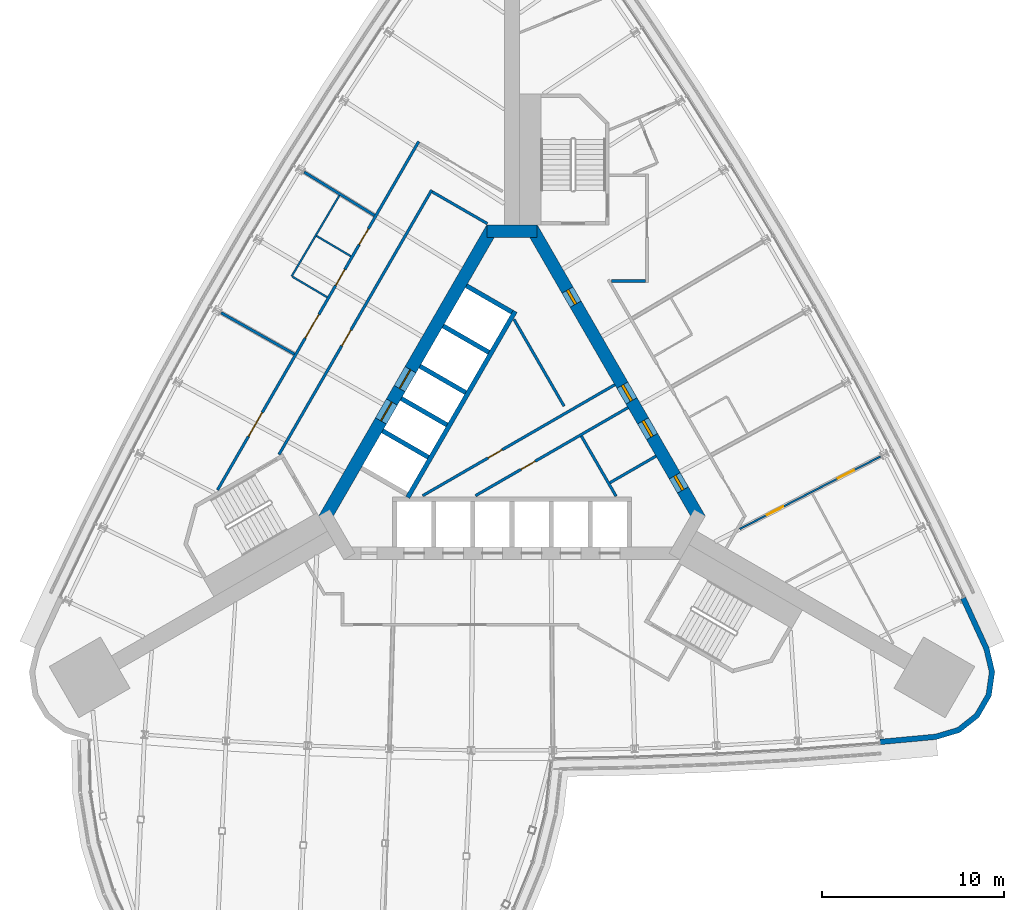
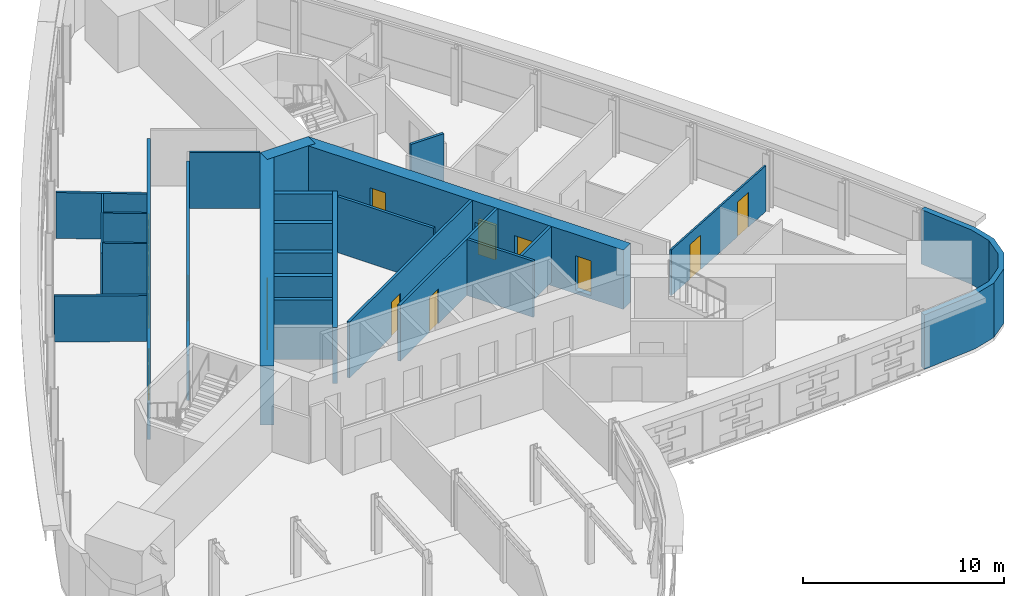
# One storey, part 11 of 16: 25 walls, 15 doors, 15 openings.
"""IFC4 building model written with IfcOpenShell, lengths in metres."""

from ifc_helpers import new_model, si_unit, direction, frame, frame_2d, origin, place, context, subcontext, project, spatial, polyline, rectangle, outline, extrude, material, layer, layer_set, type_object, element, fill, save


model = new_model("IFC4")

# Units and contexts
model_context = context("Model", 3, precision=1e-05, world=origin(), true_north=direction((0.0, 1.0)))
body_context = subcontext(model_context, "Body", "Model", "MODEL_VIEW")
ifc_project = project(units=[si_unit("LENGTHUNIT", "METRE"), si_unit("AREAUNIT", "SQUARE_METRE"), si_unit("VOLUMEUNIT", "CUBIC_METRE"), si_unit("PLANEANGLEUNIT", "RADIAN"), si_unit("MASSUNIT", "GRAM", prefix="KILO")], contexts=[model_context])

# Site, building, storey
site_placement = place(None, origin())
site = spatial("IfcSite", under=ifc_project, at=site_placement, CompositionType="ELEMENT")
building_placement = place(site_placement, origin())
building = spatial("IfcBuilding", under=site, at=building_placement, Name="Noor Cloister Tower", CompositionType="ELEMENT")
storey_placement = place(building_placement, frame((0.0, 0.0, 65.39990234375)))
storey = spatial("IfcBuildingStorey", under=building, at=storey_placement, Name="L16", CompositionType="ELEMENT", Elevation=65.39990234375)

# Wall, opening, door
ifc_material_1 = material(Name="Concrete C30/37", Category="concrete")
ifc_layer_1 = layer(ifc_material_1, 0.14990234375)
ifc_layer_set_1 = layer_set([ifc_layer_1], Name="Core partition 150 C30/37")
wall_type_1 = type_object("IfcWallType", Name="Core partition 150 C30/37", PredefinedType="PARTITIONING", material=ifc_layer_set_1)
wall_1_placement = place(storey_placement, frame((-4.904296875, -3.4130859375, 0.0), z_axis=(0.0, 0.0, 1.0), x_axis=(0.866020716117, 0.500008119189, 0.0)))
wall_1 = element("IfcWall", 1, at=wall_1_placement, inside=storey, type_object=wall_type_1, Name="Core room partition L16 1", PredefinedType="PARTITIONING", context=body_context, shape_type="SweptSolid", body=[
    extrude(rectangle(XDim=12.181884765625, YDim=0.14990234375, at=frame_2d((6.0908203125, 0.0))), origin(), (0.0, 0.0, 1.0), 3.400146484375),
])
opening_1_placement = place(wall_1_placement, frame((4.14208984375, 0.0, 0.0)))
opening_1 = element("IfcOpeningElement", 2, at=opening_1_placement, cuts=wall_1, Name="Opening L16-906", PredefinedType="OPENING", context=body_context, shape_type="SweptSolid", body=[
    extrude(rectangle(XDim=0.89990234375, YDim=2.10009765625, at=frame_2d((0.449951171875, 1.050048828125))), frame((0.0, 0.0849609375, 0.0), z_axis=(0.0, -1.0, 0.0), x_axis=(1.0, 0.0, 0.0)), (0.0, 0.0, 1.0), 0.169921875),
])
ifc_material_2 = material(Name="Steel", Category="steel")
door_type_1 = type_object("IfcDoorType", Name="Core door 900 x 2100 FD120", OperationType="SINGLE_SWING_LEFT", PredefinedType="DOOR", material=ifc_material_2)
door_1_placement = place(opening_1_placement, origin())
door_1 = element("IfcDoor", 3, at=door_1_placement, inside=storey, type_object=door_type_1, Name="Core door 6 L16", OperationType="SINGLE_SWING_RIGHT", OverallHeight=2.10009765625, OverallWidth=0.89990234375, PredefinedType="DOOR", context=body_context, shape_type="SweptSolid", body=[
    extrude(rectangle(XDim=0.89990234375, YDim=2.10009765625, at=frame_2d((0.449951171875, 1.050048828125))), frame((0.0, 0.02490234375, 0.0), z_axis=(0.0, -1.0, 0.0), x_axis=(1.0, 0.0, 0.0)), (0.0, 0.0, 1.0), 0.050048828125),
])
fill(opening_1, door_1)

wall_2_placement = place(storey_placement, frame((-2.00439453125, -3.4130859375, 0.0), z_axis=(0.0, 0.0, 1.0), x_axis=(0.866030034802, 0.499991978756, 0.0)))
wall_2 = element("IfcWall", 4, at=wall_2_placement, inside=storey, type_object=wall_type_1, Name="Core room partition L16 2", PredefinedType="PARTITIONING", context=body_context, shape_type="SweptSolid", body=[
    extrude(rectangle(XDim=9.670654296875, YDim=0.14990234375, at=frame_2d((4.83544921875, 0.0))), origin(), (0.0, 0.0, 1.0), 3.400146484375),
])
opening_2_placement = place(wall_2_placement, frame((2.88623046875, 0.0, 0.0)))
opening_2 = element("IfcOpeningElement", 5, at=opening_2_placement, cuts=wall_2, Name="Opening L16-905", PredefinedType="OPENING", context=body_context, shape_type="SweptSolid", body=[
    extrude(rectangle(XDim=0.89990234375, YDim=2.10009765625, at=frame_2d((0.449951171875, 1.050048828125))), frame((0.0, 0.0849609375, 0.0), z_axis=(0.0, -1.0, 0.0), x_axis=(1.0, 0.0, 0.0)), (0.0, 0.0, 1.0), 0.169921875),
])
ifc_material_3 = material(Name="Steel", Category="steel")
door_type_2 = type_object("IfcDoorType", Name="Core door 900 x 2100 FD60", OperationType="SINGLE_SWING_LEFT", PredefinedType="DOOR", material=ifc_material_3)
door_2_placement = place(opening_2_placement, origin())
door_2 = element("IfcDoor", 6, at=door_2_placement, inside=storey, type_object=door_type_2, Name="Core door 5 L16", OperationType="SINGLE_SWING_LEFT", OverallHeight=2.10009765625, OverallWidth=0.89990234375, PredefinedType="DOOR", context=body_context, shape_type="SweptSolid", body=[
    extrude(rectangle(XDim=0.89990234375, YDim=2.10009765625, at=frame_2d((0.449951171875, 1.050048828125))), frame((0.0, 0.02490234375, 0.0), z_axis=(0.0, -1.0, 0.0), x_axis=(1.0, 0.0, 0.0)), (0.0, 0.0, 1.0), 0.050048828125),
])
fill(opening_2, door_2)

# Walls
wall_3_placement = place(storey_placement, frame((2.860107421875, 1.502685546875, 0.0), z_axis=(0.0, 0.0, 1.0), x_axis=(-0.500014382217, 0.866017100048, 0.0)))
element("IfcWall", 7, at=wall_3_placement, inside=storey, type_object=wall_type_1, Name="Core room partition L16 3", PredefinedType="PARTITIONING", context=body_context, shape_type="SweptSolid", body=[
    extrude(rectangle(XDim=5.501708984375, YDim=0.14990234375, at=frame_2d((2.7509765625, 0.0))), origin(), (0.0, 0.0, 1.0), 3.400146484375),
])
wall_4_placement = place(storey_placement, frame((5.713134765625, -3.439208984375, 0.0), z_axis=(0.0, 0.0, 1.0), x_axis=(-0.499981559197, 0.866036050325, 0.0)))
element("IfcWall", 8, at=wall_4_placement, inside=storey, type_object=wall_type_1, Name="Core room partition L16 4", PredefinedType="PARTITIONING", context=body_context, shape_type="SweptSolid", body=[
    extrude(rectangle(XDim=3.806396484375, YDim=0.14990234375, at=frame_2d((1.9033203125, 0.0))), origin(), (0.0, 0.0, 1.0), 3.400146484375),
])
wall_5_placement = place(storey_placement, frame((5.375, -2.703369140625, 0.0), z_axis=(0.0, 0.0, 1.0), x_axis=(0.866046596414, 0.499963291492, 0.0)))
element("IfcWall", 9, at=wall_5_placement, inside=storey, type_object=wall_type_1, Name="Core room partition L16 5", PredefinedType="PARTITIONING", context=body_context, shape_type="SweptSolid", body=[
    extrude(rectangle(XDim=2.925048828125, YDim=0.14990234375, at=frame_2d((1.46240234375, 0.0))), origin(), (0.0, 0.0, 1.0), 3.400146484375),
])

# Wall, openings, doors
ifc_material_4 = material(Name="Concrete C80/95", Category="concrete")
ifc_layer_2 = layer(ifc_material_4, 0.699951171875)
ifc_layer_set_2 = layer_set([ifc_layer_2], Name="Core wall 700 C80/95")
wall_type_2 = type_object("IfcWallType", Name="Core wall 700 C80/95", PredefinedType="SHEAR", material=ifc_layer_set_2)
wall_6_placement = place(storey_placement, frame((10.311279296875, -4.703125, -0.199951171875), z_axis=(0.0, 0.0, 1.0), x_axis=(-0.500001446645, 0.866024568562, 0.0)))
wall_6 = element("IfcWall", 10, at=wall_6_placement, inside=storey, type_object=wall_type_2, Name="Core wall L16 3", PredefinedType="SHEAR", context=body_context, shape_type="SweptSolid", body=[
    extrude(rectangle(XDim=18.45751953125, YDim=0.699951171875, at=frame_2d((9.228759765625, 0.0))), origin(), (0.0, 0.0, 1.0), 3.60009765625),
])
opening_3_placement = place(wall_6_placement, frame((7.5, 0.0, 0.199951171875)))
opening_3 = element("IfcOpeningElement", 11, at=opening_3_placement, cuts=wall_6, Name="Opening L16-901", PredefinedType="OPENING", context=body_context, shape_type="SweptSolid", body=[
    extrude(rectangle(XDim=1.0, YDim=2.10009765625, at=frame_2d((0.5, 1.050048828125))), frame((0.0, 0.35986328125, 0.0), z_axis=(0.0, -1.0, 0.0), x_axis=(1.0, 0.0, 0.0)), (0.0, 0.0, 1.0), 0.719970703125),
])
opening_4_placement = place(wall_6_placement, frame((1.85205078125, 0.0, 0.199951171875)))
opening_4 = element("IfcOpeningElement", 12, at=opening_4_placement, cuts=wall_6, Name="Opening L16-902", PredefinedType="OPENING", context=body_context, shape_type="SweptSolid", body=[
    extrude(rectangle(XDim=0.89990234375, YDim=2.10009765625, at=frame_2d((0.449951171875, 1.050048828125))), frame((0.0, 0.35986328125, 0.0), z_axis=(0.0, -1.0, 0.0), x_axis=(1.0, 0.0, 0.0)), (0.0, 0.0, 1.0), 0.719970703125),
])
opening_5_placement = place(wall_6_placement, frame((5.237548828125, 0.0, 0.199951171875)))
opening_5 = element("IfcOpeningElement", 13, at=opening_5_placement, cuts=wall_6, Name="Opening L16-903", PredefinedType="OPENING", context=body_context, shape_type="SweptSolid", body=[
    extrude(rectangle(XDim=1.0, YDim=2.10009765625, at=frame_2d((0.5, 1.050048828125))), frame((0.0, 0.35986328125, 0.0), z_axis=(0.0, -1.0, 0.0), x_axis=(1.0, 0.0, 0.0)), (0.0, 0.0, 1.0), 0.719970703125),
])
opening_6_placement = place(wall_6_placement, frame((13.6298828125, 0.0, 0.199951171875)))
opening_6 = element("IfcOpeningElement", 14, at=opening_6_placement, cuts=wall_6, Name="Opening L16-904", PredefinedType="OPENING", context=body_context, shape_type="SweptSolid", body=[
    extrude(rectangle(XDim=0.89990234375, YDim=2.10009765625, at=frame_2d((0.449951171875, 1.050048828125))), frame((0.0, 0.35986328125, 0.0), z_axis=(0.0, -1.0, 0.0), x_axis=(1.0, 0.0, 0.0)), (0.0, 0.0, 1.0), 0.719970703125),
])
ifc_material_5 = material(Name="Steel", Category="steel")
door_type_3 = type_object("IfcDoorType", Name="Core door 1000 x 2100 FD120", OperationType="SINGLE_SWING_LEFT", PredefinedType="DOOR", material=ifc_material_5)
door_3_placement = place(opening_3_placement, origin())
door_3 = element("IfcDoor", 15, at=door_3_placement, inside=storey, type_object=door_type_3, Name="Core door 1 L16", OperationType="SINGLE_SWING_LEFT", OverallHeight=2.10009765625, OverallWidth=1.0, PredefinedType="DOOR", context=body_context, shape_type="SweptSolid", body=[
    extrude(rectangle(XDim=1.0, YDim=2.10009765625, at=frame_2d((0.5, 1.050048828125))), frame((0.0, 0.074951171875, 0.0), z_axis=(0.0, -1.0, 0.0), x_axis=(1.0, 0.0, 0.0)), (0.0, 0.0, 1.0), 0.14990234375),
])
fill(opening_3, door_3)
ifc_material_6 = material(Name="Steel", Category="steel")
door_type_4 = type_object("IfcDoorType", Name="Core door 1000 x 2100 FD60", OperationType="SINGLE_SWING_LEFT", PredefinedType="DOOR", material=ifc_material_6)
door_4_placement = place(opening_5_placement, origin())
door_4 = element("IfcDoor", 16, at=door_4_placement, inside=storey, type_object=door_type_4, Name="Core door 3 L16", OperationType="SINGLE_SWING_LEFT", OverallHeight=2.10009765625, OverallWidth=1.0, PredefinedType="DOOR", context=body_context, shape_type="SweptSolid", body=[
    extrude(rectangle(XDim=1.0, YDim=2.10009765625, at=frame_2d((0.5, 1.050048828125))), frame((0.0, 0.074951171875, 0.0), z_axis=(0.0, -1.0, 0.0), x_axis=(1.0, 0.0, 0.0)), (0.0, 0.0, 1.0), 0.14990234375),
])
fill(opening_5, door_4)
door_5_placement = place(opening_6_placement, origin())
door_5 = element("IfcDoor", 17, at=door_5_placement, inside=storey, type_object=door_type_1, Name="Core door 4 L16", OperationType="SINGLE_SWING_RIGHT", OverallHeight=2.10009765625, OverallWidth=0.89990234375, PredefinedType="DOOR", context=body_context, shape_type="SweptSolid", body=[
    extrude(rectangle(XDim=0.89990234375, YDim=2.10009765625, at=frame_2d((0.449951171875, 1.050048828125))), frame((0.0, 0.074951171875, 0.0), z_axis=(0.0, -1.0, 0.0), x_axis=(1.0, 0.0, 0.0)), (0.0, 0.0, 1.0), 0.14990234375),
])
fill(opening_6, door_5)
door_6_placement = place(opening_4_placement, origin())
door_6 = element("IfcDoor", 18, at=door_6_placement, inside=storey, type_object=door_type_2, Name="Core door 2 L16", OperationType="SINGLE_SWING_RIGHT", OverallHeight=2.10009765625, OverallWidth=0.89990234375, PredefinedType="DOOR", context=body_context, shape_type="SweptSolid", body=[
    extrude(rectangle(XDim=0.89990234375, YDim=2.10009765625, at=frame_2d((0.449951171875, 1.050048828125))), frame((0.0, 0.074951171875, 0.0), z_axis=(0.0, -1.0, 0.0), x_axis=(1.0, 0.0, 0.0)), (0.0, 0.0, 1.0), 0.14990234375),
])
fill(opening_4, door_6)

# Wall
wall_7_placement = place(storey_placement, frame((1.3857421875, 11.1064453125, -0.199951171875), z_axis=(0.0, 0.0, 1.0), x_axis=(-1.0, 0.0, 0.0)))
element("IfcWall", 19, at=wall_7_placement, inside=storey, type_object=wall_type_2, Name="Core wall L16 4", PredefinedType="SHEAR", context=body_context, shape_type="SweptSolid", body=[
    extrude(rectangle(XDim=2.771484375, YDim=0.699951171875, at=frame_2d((1.3857421875, 0.0))), origin(), (0.0, 0.0, 1.0), 3.60009765625),
])

# Wall, openings, doors
wall_8_placement = place(storey_placement, frame((-1.08251953125, 11.281494140625, -0.199951171875), z_axis=(0.0, 0.0, 1.0), x_axis=(-0.500001446645, -0.866024568562, 0.0)))
wall_8 = element("IfcWall", 20, at=wall_8_placement, inside=storey, type_object=wall_type_2, Name="Core wall L16 5", PredefinedType="SHEAR", context=body_context, shape_type="SweptSolid", body=[
    extrude(rectangle(XDim=18.45751953125, YDim=0.699951171875, at=frame_2d((9.228759765625, 0.0))), origin(), (0.0, 0.0, 1.0), 3.60009765625),
])
opening_7_placement = place(wall_8_placement, frame((8.978759765625, 0.0, 0.199951171875)))
opening_7 = element("IfcOpeningElement", 21, at=opening_7_placement, cuts=wall_8, Name="Opening L16-FF1", PredefinedType="OPENING", context=body_context, shape_type="SweptSolid", body=[
    extrude(rectangle(XDim=1.199951171875, YDim=2.10009765625, at=frame_2d((0.60009765625, 1.050048828125))), frame((0.0, 0.35986328125, 0.0), z_axis=(0.0, -1.0, 0.0), x_axis=(1.0, 0.0, 0.0)), (0.0, 0.0, 1.0), 0.719970703125),
])
opening_8_placement = place(wall_8_placement, frame((11.02880859375, 0.0, 0.199951171875)))
opening_8 = element("IfcOpeningElement", 22, at=opening_8_placement, cuts=wall_8, Name="Opening L16-FF2", PredefinedType="OPENING", context=body_context, shape_type="SweptSolid", body=[
    extrude(rectangle(XDim=1.199951171875, YDim=2.10009765625, at=frame_2d((0.60009765625, 1.050048828125))), frame((0.0, 0.35986328125, 0.0), z_axis=(0.0, -1.0, 0.0), x_axis=(1.0, 0.0, 0.0)), (0.0, 0.0, 1.0), 0.719970703125),
])
ifc_material_7 = material(Name="Stainless steel", Category="steel")
door_type_5 = type_object("IfcDoorType", Name="Lift landing door 1200 x 2100", OperationType="DOUBLE_DOOR_SLIDING", PredefinedType="DOOR", material=ifc_material_7)
door_7_placement = place(opening_7_placement, origin())
door_7 = element("IfcDoor", 23, at=door_7_placement, inside=storey, type_object=door_type_5, Name="Landing door FF1 L16", OperationType="DOUBLE_DOOR_SLIDING", OverallHeight=2.10009765625, OverallWidth=1.199951171875, PredefinedType="DOOR", context=body_context, shape_type="SweptSolid", body=[
    extrude(rectangle(XDim=1.199951171875, YDim=2.10009765625, at=frame_2d((0.60009765625, 1.050048828125))), frame((0.0, 0.02490234375, 0.0), z_axis=(0.0, -1.0, 0.0), x_axis=(1.0, 0.0, 0.0)), (0.0, 0.0, 1.0), 0.050048828125),
])
fill(opening_7, door_7)
door_8_placement = place(opening_8_placement, origin())
door_8 = element("IfcDoor", 24, at=door_8_placement, inside=storey, type_object=door_type_5, Name="Landing door FF2 L16", OperationType="DOUBLE_DOOR_SLIDING", OverallHeight=2.10009765625, OverallWidth=1.199951171875, PredefinedType="DOOR", context=body_context, shape_type="SweptSolid", body=[
    extrude(rectangle(XDim=1.199951171875, YDim=2.10009765625, at=frame_2d((0.60009765625, 1.050048828125))), frame((0.0, 0.02490234375, 0.0), z_axis=(0.0, -1.0, 0.0), x_axis=(1.0, 0.0, 0.0)), (0.0, 0.0, 1.0), 0.050048828125),
])
fill(opening_8, door_8)

# Wall, opening, door
ifc_material_8 = material(Name="Fire-rated gypsum board partition on steel studs, 150 mm", Category="steel")
ifc_layer_3 = layer(ifc_material_8, 0.14990234375)
ifc_layer_set_3 = layer_set([ifc_layer_3], Name="Fire lobby wall 150")
wall_type_3 = type_object("IfcWallType", Name="Fire lobby wall 150", PredefinedType="PARTITIONING", material=ifc_layer_set_3)
wall_9_placement = place(storey_placement, frame((-4.40673828125, 13.373779296875, 0.0), z_axis=(0.0, 0.0, 1.0), x_axis=(-0.499997181693, -0.866027030928, 0.0)))
wall_9 = element("IfcWall", 25, at=wall_9_placement, inside=storey, type_object=wall_type_3, Name="Fire lobby wall 150 L16 002", PredefinedType="PARTITIONING", context=body_context, shape_type="SweptSolid", body=[
    extrude(rectangle(XDim=16.76953125, YDim=0.14990234375, at=frame_2d((8.384765625, 0.0))), origin(), (0.0, 0.0, 1.0), 2.778076171875),
])
opening_9_placement = place(wall_9_placement, frame((8.878662109375, 0.0, 0.0)))
opening_9 = element("IfcOpeningElement", 26, at=opening_9_placement, cuts=wall_9, Name="Opening L16-005", PredefinedType="OPENING", context=body_context, shape_type="SweptSolid", body=[
    extrude(rectangle(XDim=1.0, YDim=2.10009765625, at=frame_2d((0.5, 1.050048828125))), frame((0.0, 0.0849609375, 0.0), z_axis=(0.0, -1.0, 0.0), x_axis=(1.0, 0.0, 0.0)), (0.0, 0.0, 1.0), 0.169921875),
])
ifc_material_9 = material(Name="Timber door leaf with steel frame", Category="steel")
door_type_6 = type_object("IfcDoorType", Name="Fire lobby door 1000", OperationType="NOTDEFINED", PredefinedType="DOOR", material=ifc_material_9)
door_9_placement = place(opening_9_placement, origin())
door_9 = element("IfcDoor", 27, at=door_9_placement, inside=storey, type_object=door_type_6, Name="Fire lobby door 1000 L16-005", OperationType="SINGLE_SWING_RIGHT", OverallHeight=2.10009765625, OverallWidth=1.0, PredefinedType="DOOR", context=body_context, shape_type="SweptSolid", body=[
    extrude(rectangle(XDim=1.0, YDim=2.10009765625, at=frame_2d((0.5, 1.050048828125))), frame((0.0, 0.02490234375, 0.0), z_axis=(0.0, -1.0, 0.0), x_axis=(1.0, 0.0, 0.0)), (0.0, 0.0, 1.0), 0.050048828125),
])
fill(opening_9, door_9)

# Wall
wall_10_placement = place(storey_placement, frame((-4.379150390625, 13.271484375, 0.0), z_axis=(0.0, 0.0, 1.0), x_axis=(0.866019471182, -0.500010275428, 0.0)))
element("IfcWall", 28, at=wall_10_placement, inside=storey, type_object=wall_type_3, Name="Fire lobby wall 150 L16 008", PredefinedType="PARTITIONING", context=body_context, shape_type="SweptSolid", body=[
    extrude(rectangle(XDim=3.5, YDim=0.14990234375, at=frame_2d((1.75, 0.0))), origin(), (0.0, 0.0, 1.0), 3.400146484375),
])

# Wall, openings, doors
ifc_material_10 = material(Name="Gypsum board partition on steel studs, 150 mm", Category="steel")
ifc_layer_4 = layer(ifc_material_10, 0.14990234375)
ifc_layer_set_4 = layer_set([ifc_layer_4], Name="Flat wall 150")
wall_type_4 = type_object("IfcWallType", Name="Flat wall 150", PredefinedType="PARTITIONING", material=ifc_layer_set_4)
wall_11_placement = place(storey_placement, frame((-16.1689453125, -3.09912109375, 0.0), z_axis=(0.0, 0.0, 1.0), x_axis=(0.499999805269, 0.866025516212, 0.0)))
wall_11 = element("IfcWall", 29, at=wall_11_placement, inside=storey, type_object=wall_type_4, Name="Flat wall 150 L16 001", PredefinedType="PARTITIONING", context=body_context, shape_type="SweptSolid", body=[
    extrude(rectangle(XDim=22.09716796875, YDim=0.14990234375, at=frame_2d((11.048583984375, 0.0))), origin(), (0.0, 0.0, 1.0), 2.778076171875),
])
opening_10_placement = place(wall_11_placement, frame((15.557861328125, 0.0, 0.0)))
opening_10 = element("IfcOpeningElement", 30, at=opening_10_placement, cuts=wall_11, Name="Opening L16-001", PredefinedType="OPENING", context=body_context, shape_type="SweptSolid", body=[
    extrude(rectangle(XDim=1.0, YDim=2.10009765625, at=frame_2d((0.5, 1.050048828125))), frame((0.0, 0.0849609375, 0.0), z_axis=(0.0, -1.0, 0.0), x_axis=(1.0, 0.0, 0.0)), (0.0, 0.0, 1.0), 0.169921875),
])
opening_11_placement = place(wall_11_placement, frame((12.97607421875, 0.0, 0.0)))
opening_11 = element("IfcOpeningElement", 31, at=opening_11_placement, cuts=wall_11, Name="Opening L16-002", PredefinedType="OPENING", context=body_context, shape_type="SweptSolid", body=[
    extrude(rectangle(XDim=1.0, YDim=2.10009765625, at=frame_2d((0.5, 1.050048828125))), frame((0.0, 0.0849609375, 0.0), z_axis=(0.0, -1.0, 0.0), x_axis=(1.0, 0.0, 0.0)), (0.0, 0.0, 1.0), 0.169921875),
])
opening_12_placement = place(wall_11_placement, frame((9.635498046875, 0.0, 0.0)))
opening_12 = element("IfcOpeningElement", 32, at=opening_12_placement, cuts=wall_11, Name="Opening L16-003", PredefinedType="OPENING", context=body_context, shape_type="SweptSolid", body=[
    extrude(rectangle(XDim=1.5, YDim=2.10009765625, at=frame_2d((0.75, 1.050048828125))), frame((0.0, 0.0849609375, 0.0), z_axis=(0.0, -1.0, 0.0), x_axis=(1.0, 0.0, 0.0)), (0.0, 0.0, 1.0), 0.169921875),
])
opening_13_placement = place(wall_11_placement, frame((3.404296875, 0.0, 0.0)))
opening_13 = element("IfcOpeningElement", 33, at=opening_13_placement, cuts=wall_11, Name="Opening L16-004", PredefinedType="OPENING", context=body_context, shape_type="SweptSolid", body=[
    extrude(rectangle(XDim=1.5, YDim=2.10009765625, at=frame_2d((0.75, 1.050048828125))), frame((0.0, 0.0849609375, 0.0), z_axis=(0.0, -1.0, 0.0), x_axis=(1.0, 0.0, 0.0)), (0.0, 0.0, 1.0), 0.169921875),
])
ifc_material_11 = material(Name="Timber door leaf with steel frame", Category="steel")
door_type_7 = type_object("IfcDoorType", Name="Accessible WC door 1000", OperationType="NOTDEFINED", PredefinedType="DOOR", material=ifc_material_11)
door_10_placement = place(opening_10_placement, origin())
door_10 = element("IfcDoor", 34, at=door_10_placement, inside=storey, type_object=door_type_7, Name="Accessible WC door 1000 L16-001", OperationType="SINGLE_SWING_RIGHT", OverallHeight=2.10009765625, OverallWidth=1.0, PredefinedType="DOOR", context=body_context, shape_type="SweptSolid", body=[
    extrude(rectangle(XDim=1.0, YDim=2.10009765625, at=frame_2d((0.5, 1.050048828125))), frame((0.0, 0.02490234375, 0.0), z_axis=(0.0, -1.0, 0.0), x_axis=(1.0, 0.0, 0.0)), (0.0, 0.0, 1.0), 0.050048828125),
])
fill(opening_10, door_10)
ifc_material_12 = material(Name="Timber door leaf with steel frame", Category="steel")
door_type_8 = type_object("IfcDoorType", Name="Double door 1500 FD60", OperationType="NOTDEFINED", PredefinedType="DOOR", material=ifc_material_12)
door_11_placement = place(opening_12_placement, origin())
door_11 = element("IfcDoor", 35, at=door_11_placement, inside=storey, type_object=door_type_8, Name="Double door 1500 L16-003", OperationType="DOUBLE_DOOR_SINGLE_SWING", OverallHeight=2.10009765625, OverallWidth=1.5, PredefinedType="DOOR", context=body_context, shape_type="SweptSolid", body=[
    extrude(rectangle(XDim=1.5, YDim=2.10009765625, at=frame_2d((0.75, 1.050048828125))), frame((0.0, 0.02490234375, 0.0), z_axis=(0.0, -1.0, 0.0), x_axis=(1.0, 0.0, 0.0)), (0.0, 0.0, 1.0), 0.050048828125),
])
fill(opening_12, door_11)
door_12_placement = place(opening_13_placement, origin())
door_12 = element("IfcDoor", 36, at=door_12_placement, inside=storey, type_object=door_type_8, Name="Double door 1500 L16-004", OperationType="DOUBLE_DOOR_SINGLE_SWING", OverallHeight=2.10009765625, OverallWidth=1.5, PredefinedType="DOOR", context=body_context, shape_type="SweptSolid", body=[
    extrude(rectangle(XDim=1.5, YDim=2.10009765625, at=frame_2d((0.75, 1.050048828125))), frame((0.0, 0.02490234375, 0.0), z_axis=(0.0, -1.0, 0.0), x_axis=(1.0, 0.0, 0.0)), (0.0, 0.0, 1.0), 0.050048828125),
])
fill(opening_13, door_12)
ifc_material_13 = material(Name="Timber door leaf with steel frame", Category="steel")
door_type_9 = type_object("IfcDoorType", Name="Interior door 1000 FD60", OperationType="NOTDEFINED", PredefinedType="DOOR", material=ifc_material_13)
door_13_placement = place(opening_11_placement, origin())
door_13 = element("IfcDoor", 37, at=door_13_placement, inside=storey, type_object=door_type_9, Name="Interior door 1000 L16-002", OperationType="SINGLE_SWING_RIGHT", OverallHeight=2.10009765625, OverallWidth=1.0, PredefinedType="DOOR", context=body_context, shape_type="SweptSolid", body=[
    extrude(rectangle(XDim=1.0, YDim=2.10009765625, at=frame_2d((0.5, 1.050048828125))), frame((0.0, 0.02490234375, 0.0), z_axis=(0.0, -1.0, 0.0), x_axis=(1.0, 0.0, 0.0)), (0.0, 0.0, 1.0), 0.050048828125),
])
fill(opening_11, door_13)

# Walls
wall_12_placement = place(storey_placement, frame((5.4560546875, 8.38134765625, 0.0), z_axis=(0.0, 0.0, 1.0), x_axis=(1.0, 0.0, 0.0)))
element("IfcWall", 38, at=wall_12_placement, inside=storey, type_object=wall_type_4, Name="Flat wall 150 L16 013", PredefinedType="PARTITIONING", context=body_context, shape_type="SweptSolid", body=[
    extrude(rectangle(XDim=1.879638671875, YDim=0.14990234375, at=frame_2d((0.93994140625, 0.0))), origin(), (0.0, 0.0, 1.0), 3.400146484375),
])
wall_13_placement = place(storey_placement, frame((-15.968505859375, 6.630126953125, 0.0), z_axis=(0.0, 0.0, 1.0), x_axis=(0.870757830179, -0.491712112097, 0.0)))
element("IfcWall", 39, at=wall_13_placement, inside=storey, type_object=wall_type_4, Name="Flat wall 150 L16 021", PredefinedType="PARTITIONING", context=body_context, shape_type="SweptSolid", body=[
    extrude(rectangle(XDim=4.615478515625, YDim=0.14990234375, at=frame_2d((2.3076171875, 0.0))), origin(), (0.0, 0.0, 1.0), 2.778076171875),
])
wall_14_placement = place(storey_placement, frame((-11.409912109375, 14.354248046875, 0.0), z_axis=(0.0, 0.0, 1.0), x_axis=(0.851336169767, -0.52462055435, 0.0)))
element("IfcWall", 40, at=wall_14_placement, inside=storey, type_object=wall_type_4, Name="Flat wall 150 L16 022", PredefinedType="PARTITIONING", context=body_context, shape_type="SweptSolid", body=[
    extrude(rectangle(XDim=4.52978515625, YDim=0.14990234375, at=frame_2d((2.264892578125, 0.0))), origin(), (0.0, 0.0, 1.0), 2.778076171875),
])
ifc_material_14 = material(Name="Limestone", Category="masonry")
ifc_layer_5 = layer(ifc_material_14, 0.300048828125)
ifc_layer_set_5 = layer_set([ifc_layer_5], Name="Limestone cladding 300")
wall_type_5 = type_object("IfcWallType", Name="Limestone cladding 300", PredefinedType="NOTDEFINED", material=ifc_layer_set_5)
wall_15_placement = place(storey_placement, origin())
element("IfcWall", 41, at=wall_15_placement, inside=storey, type_object=wall_type_5, Name="Limestone pier cladding L16 2.1", PredefinedType="NOTDEFINED", context=body_context, shape_type="SweptSolid", body=[
    extrude(outline(polyline([(20.22509765625, -17.085205078125), (23.29736328125, -16.80029296875), (24.587890625, -16.417236328125), (25.644775390625, -15.583251953125), (26.31787109375, -14.41748046875), (26.511474609375, -13.085205078125), (26.1982421875, -11.77587890625), (24.908935546875, -8.972900390625), (24.63623046875, -9.09814453125), (25.913330078125, -11.87451171875), (26.206298828125, -13.098876953125), (26.029296875, -14.317138671875), (25.413818359375, -15.383544921875), (24.447265625, -16.14599609375), (23.240234375, -16.50439453125), (20.197265625, -16.78662109375), (20.22509765625, -17.085205078125)])), origin(), (0.0, 0.0, 1.0), 3.300048828125),
])

# Wall, openings, doors
ifc_material_15 = material(Name="Gypsum board partition on steel studs, 100 mm", Category="steel")
ifc_layer_6 = layer(ifc_material_15, 0.10009765625)
ifc_layer_set_6 = layer_set([ifc_layer_6], Name="Partition 100")
wall_type_6 = type_object("IfcWallType", Name="Partition 100", PredefinedType="PARTITIONING", material=ifc_layer_set_6)
wall_16_placement = place(storey_placement, frame((20.228515625, -1.262451171875, 0.0), z_axis=(0.0, 0.0, 1.0), x_axis=(-0.888895553513, -0.458109915789, 0.0)))
wall_16 = element("IfcWall", 42, at=wall_16_placement, inside=storey, type_object=wall_type_6, Name="Partition 100 L16 024", PredefinedType="PARTITIONING", context=body_context, shape_type="SweptSolid", body=[
    extrude(rectangle(XDim=8.693603515625, YDim=0.10009765625, at=frame_2d((4.3466796875, 0.0))), origin(), (0.0, 0.0, 1.0), 2.778076171875),
])
opening_14_placement = place(wall_16_placement, frame((6.000732421875, 0.0, 0.0)))
opening_14 = element("IfcOpeningElement", 43, at=opening_14_placement, cuts=wall_16, Name="Opening L16-015", PredefinedType="OPENING", context=body_context, shape_type="SweptSolid", body=[
    extrude(rectangle(XDim=1.0, YDim=2.10009765625, at=frame_2d((0.5, 1.050048828125))), frame((0.0, 0.06005859375, 0.0), z_axis=(0.0, -1.0, 0.0), x_axis=(1.0, 0.0, 0.0)), (0.0, 0.0, 1.0), 0.1201171875),
])
opening_15_placement = place(wall_16_placement, frame((1.635009765625, 0.0, 0.0)))
opening_15 = element("IfcOpeningElement", 44, at=opening_15_placement, cuts=wall_16, Name="Opening L16-016", PredefinedType="OPENING", context=body_context, shape_type="SweptSolid", body=[
    extrude(rectangle(XDim=1.0, YDim=2.10009765625, at=frame_2d((0.5, 1.050048828125))), frame((0.0, 0.06005859375, 0.0), z_axis=(0.0, -1.0, 0.0), x_axis=(1.0, 0.0, 0.0)), (0.0, 0.0, 1.0), 0.1201171875),
])
ifc_material_16 = material(Name="Timber door leaf with steel frame", Category="steel")
door_type_10 = type_object("IfcDoorType", Name="Interior door 1000", OperationType="NOTDEFINED", PredefinedType="DOOR", material=ifc_material_16)
door_14_placement = place(opening_14_placement, origin())
door_14 = element("IfcDoor", 45, at=door_14_placement, inside=storey, type_object=door_type_10, Name="Interior door 1000 L16-015", OperationType="SINGLE_SWING_RIGHT", OverallHeight=2.10009765625, OverallWidth=1.0, PredefinedType="DOOR", context=body_context, shape_type="SweptSolid", body=[
    extrude(rectangle(XDim=1.0, YDim=2.10009765625, at=frame_2d((0.5, 1.050048828125))), frame((0.0, 0.02490234375, 0.0), z_axis=(0.0, -1.0, 0.0), x_axis=(1.0, 0.0, 0.0)), (0.0, 0.0, 1.0), 0.050048828125),
])
fill(opening_14, door_14)
door_15_placement = place(opening_15_placement, origin())
door_15 = element("IfcDoor", 46, at=door_15_placement, inside=storey, type_object=door_type_10, Name="Interior door 1000 L16-016", OperationType="SINGLE_SWING_LEFT", OverallHeight=2.10009765625, OverallWidth=1.0, PredefinedType="DOOR", context=body_context, shape_type="SweptSolid", body=[
    extrude(rectangle(XDim=1.0, YDim=2.10009765625, at=frame_2d((0.5, 1.050048828125))), frame((0.0, 0.02490234375, 0.0), z_axis=(0.0, -1.0, 0.0), x_axis=(1.0, 0.0, 0.0)), (0.0, 0.0, 1.0), 0.050048828125),
])
fill(opening_15, door_15)

# Walls
wall_17_placement = place(storey_placement, frame((-9.477783203125, 13.074462890625, 0.0), z_axis=(0.0, 0.0, 1.0), x_axis=(-0.508234581351, -0.86121867741, 0.0)))
element("IfcWall", 47, at=wall_17_placement, inside=storey, type_object=wall_type_6, Name="Partition 100 L16 025", PredefinedType="PARTITIONING", context=body_context, shape_type="SweptSolid", body=[
    extrude(rectangle(XDim=5.15478515625, YDim=0.10009765625, at=frame_2d((2.577392578125, 0.0))), origin(), (0.0, 0.0, 1.0), 2.778076171875),
])
wall_18_placement = place(storey_placement, frame((-12.0546875, 8.609619140625, 0.0), z_axis=(0.0, 0.0, 1.0), x_axis=(0.861222482917, -0.508228132749, 0.0)))
element("IfcWall", 48, at=wall_18_placement, inside=storey, type_object=wall_type_6, Name="Partition 100 L16 034", PredefinedType="PARTITIONING", context=body_context, shape_type="SweptSolid", body=[
    extrude(rectangle(XDim=2.216064453125, YDim=0.10009765625, at=frame_2d((1.10791015625, 0.0))), origin(), (0.0, 0.0, 1.0), 3.400146484375),
])
wall_19_placement = place(storey_placement, frame((-10.733154296875, 10.8486328125, 0.0), z_axis=(0.0, 0.0, 1.0), x_axis=(0.861225852057, -0.5082224235, 0.0)))
element("IfcWall", 49, at=wall_19_placement, inside=storey, type_object=wall_type_6, Name="Partition 100 L16 035", PredefinedType="PARTITIONING", context=body_context, shape_type="SweptSolid", body=[
    extrude(rectangle(XDim=2.19091796875, YDim=0.10009765625, at=frame_2d((1.095458984375, 0.0))), origin(), (0.0, 0.0, 1.0), 3.400146484375),
])
ifc_material_17 = material(Name="Concrete C80/95", Category="concrete")
ifc_layer_7 = layer(ifc_material_17, 0.25)
ifc_layer_set_7 = layer_set([ifc_layer_7], Name="Shaft wall 250 C80/95")
wall_type_7 = type_object("IfcWallType", Name="Shaft wall 250 C80/95", PredefinedType="PARTITIONING", material=ifc_layer_set_7)
wall_20_placement = place(storey_placement, frame((-2.50634765625, 8.115478515625, -0.199951171875), z_axis=(0.0, 0.0, 1.0), x_axis=(0.865996321171, -0.50005036918, 0.0)))
element("IfcWall", 50, at=wall_20_placement, inside=storey, type_object=wall_type_7, Name="Lift shaft wall L16 NW 1", PredefinedType="PARTITIONING", context=body_context, shape_type="SweptSolid", body=[
    extrude(rectangle(XDim=2.900146484375, YDim=0.25, at=frame_2d((1.4501953125, 0.0))), origin(), (0.0, 0.0, 1.0), 3.60009765625),
])
for number, where, z_axis, x_axis, name in (
    (51, (-3.78125, 5.906982421875, -0.199951171875), (0.0, 0.0, 1.0), (0.866032775405, -0.499987231761, 0.0), "Lift shaft wall L16 NW 2"),
    (52, (-5.056396484375, 3.69873046875, -0.199951171875), (0.0, 0.0, 1.0), (0.866032775405, -0.499987231761, 0.0), "Lift shaft wall L16 NW 3"),
    (53, (-6.081298828125, 1.92333984375, -0.199951171875), (0.0, 0.0, 1.0), (0.866032775405, -0.499987231761, 0.0), "Lift shaft wall L16 NW 4"),
    (54, (-7.106201171875, 0.14794921875, -0.199951171875), (0.0, 0.0, 1.0), (0.866032775405, -0.499987231761, 0.0), "Lift shaft wall L16 NW 5"),
):
    element("IfcWall", number, at=place(storey_placement, frame(where, z_axis=z_axis, x_axis=x_axis)), inside=storey, type_object=wall_type_7, Name=name, PredefinedType="PARTITIONING", context=body_context, shape_type="SweptSolid", body=[
        extrude(rectangle(XDim=2.89990234375, YDim=0.25, at=frame_2d((1.449951171875, 0.0))), origin(), (0.0, 0.0, 1.0), 3.60009765625),
    ])
wall_21_placement = place(storey_placement, frame((0.176025390625, 6.711181640625, 0.0), z_axis=(0.0, 0.0, 1.0), x_axis=(-0.500004227369, -0.866022963098, 0.0)))
element("IfcWall", 55, at=wall_21_placement, inside=storey, type_object=wall_type_7, Name="Lift shaft back wall L16 NW", PredefinedType="PARTITIONING", context=body_context, shape_type="SweptSolid", body=[
    extrude(rectangle(XDim=11.80029296875, YDim=0.25, at=frame_2d((5.900146484375, 0.0))), origin(), (0.0, 0.0, 1.0), 3.400146484375),
])

save(model, "model.ifc")
